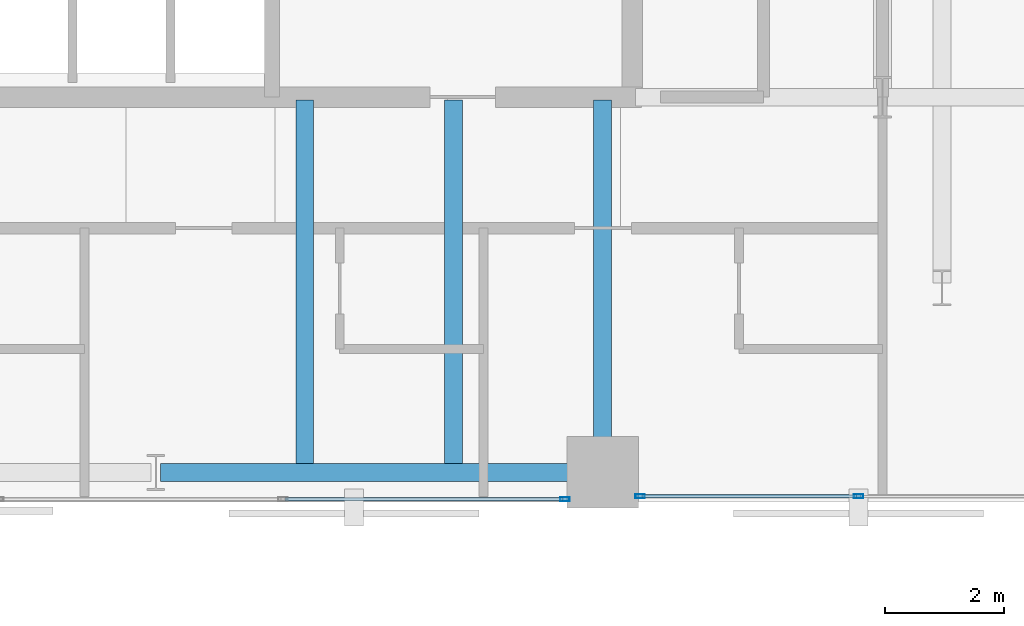
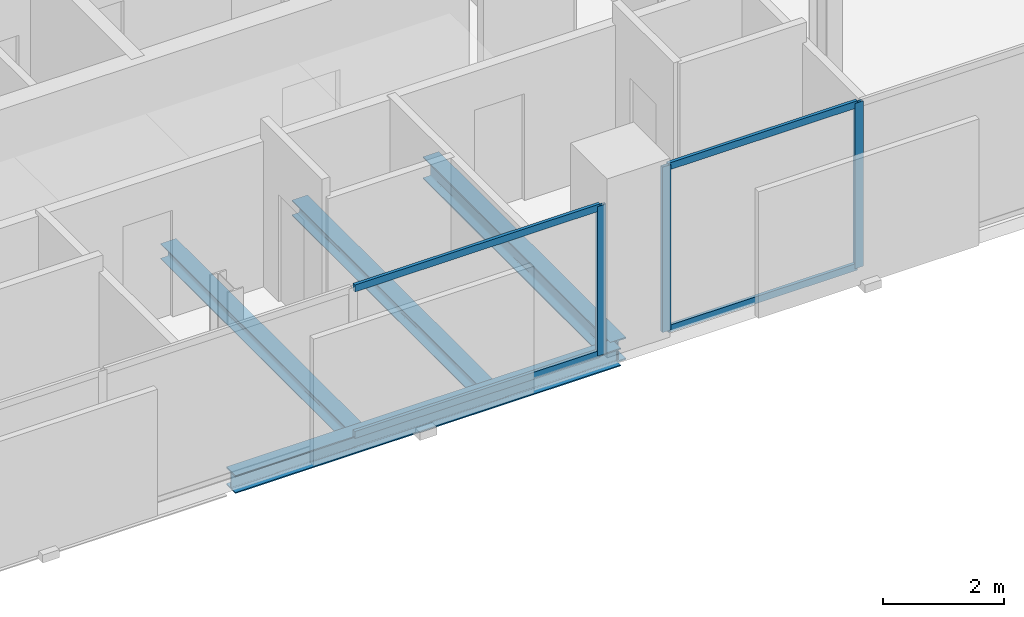
# One storey, part 14 of 32: 7 members, 4 beams, 2 elements without a shape of their own.
"""IFC4 building model written with IfcOpenShell, lengths in metres."""

from ifc_helpers import new_model, si_unit, direction, frame, origin, origin_2d, place, context, subcontext, project, spatial, hollow_rectangle, i_section, extrude, material, layer, layer_set, material_profile, profile_set, type_object, element, aggregate, save


model = new_model("IFC4")

# Units and contexts
model_context = context("Model", 3, precision=1e-05, world=origin(), true_north=direction((0.0, 1.0)))
body_context = subcontext(model_context, "Body", "Model", "MODEL_VIEW")
ifc_project = project(units=[si_unit("LENGTHUNIT", "METRE"), si_unit("AREAUNIT", "SQUARE_METRE"), si_unit("VOLUMEUNIT", "CUBIC_METRE"), si_unit("PLANEANGLEUNIT", "RADIAN"), si_unit("MASSUNIT", "GRAM", prefix="KILO")], contexts=[model_context])

# Site, building, storey
site_placement = place(None, origin())
site = spatial("IfcSite", under=ifc_project, at=site_placement, CompositionType="ELEMENT")
building_placement = place(site_placement, origin())
building = spatial("IfcBuilding", under=site, at=building_placement, Name="Catumbela Crestline Tower", CompositionType="ELEMENT")
storey_placement = place(building_placement, frame((0.0, 0.0, 133.2)))
storey = spatial("IfcBuildingStorey", under=building, at=storey_placement, Name="L34", CompositionType="ELEMENT", Elevation=133.2)

# Beams
ifc_material_1 = material(Name="Structural steel S355J2", Category="steel")
ifc_material_profile_1 = material_profile(ifc_material_1, i_section(OverallWidth=0.3, OverallDepth=0.45, WebThickness=0.014, FlangeThickness=0.026, FilletRadius=0.027, at=origin_2d()), Name="HEB 450")
ifc_profile_set_1 = profile_set([ifc_material_profile_1], Name="Structural steel S355J2")
beam_type_1 = type_object("IfcBeamType", Name="BG-HEB450", PredefinedType="BEAM", material=ifc_profile_set_1)
beam_1_placement = place(storey_placement, frame((39.5, 24.58, -0.485), z_axis=(0.0, 1.0, 0.0), x_axis=(-1.0, 0.0, 0.0)))
element("IfcBeam", 1, at=beam_1_placement, inside=storey, type_object=beam_type_1, Name="L34 Beam BM-L34-SNS31", PredefinedType="BEAM", context=body_context, shape_type="SweptSolid", body=[
    extrude(i_section(OverallWidth=0.3, OverallDepth=0.45, WebThickness=0.014, FlangeThickness=0.026, FilletRadius=0.027, at=origin_2d()), origin(), (0.0, 0.0, 1.0), 6.17),
])
ifc_material_profile_2 = material_profile(ifc_material_1, i_section(OverallWidth=0.3, OverallDepth=0.31, WebThickness=0.009, FlangeThickness=0.0155, FilletRadius=0.027, at=origin_2d()), Name="HEA 320")
ifc_profile_set_2 = profile_set([ifc_material_profile_2], Name="Structural steel S355J2")
beam_type_2 = type_object("IfcBeamType", Name="BJ-HEA320", PredefinedType="JOIST", material=ifc_profile_set_2)
for number, where, z_axis, x_axis, name in (
    (2, (34.5, 24.647, -0.415), (0.0, 1.0, 0.0), (-1.0, 0.0, 0.0), "L34 Joist JS-L34-SP41"),
    (3, (37.0, 24.647, -0.415), (0.0, 1.0, 0.0), (-1.0, 0.0, 0.0), "L34 Joist JS-L34-SP42"),
):
    element("IfcBeam", number, at=place(storey_placement, frame(where, z_axis=z_axis, x_axis=x_axis)), inside=storey, type_object=beam_type_2, Name=name, PredefinedType="JOIST", context=body_context, shape_type="SweptSolid", body=[
        extrude(i_section(OverallWidth=0.3, OverallDepth=0.31, WebThickness=0.009, FlangeThickness=0.0155, FilletRadius=0.027, at=origin_2d()), origin(), (0.0, 0.0, 1.0), 6.103),
    ])

# Curtain wall, member
ifc_material_2 = material(Name="Aluminium alloy AW-6060-T66", Category="aluminium")
ifc_layer = layer(ifc_material_2, 0.18, Name="Aluminium alloy AW-6060-T66")
ifc_layer_set = layer_set([ifc_layer], Name="Aluminium alloy AW-6060-T66")
curtain_wall_type = type_object("IfcCurtainWallType", Name="CWU-Z2", PredefinedType="USERDEFINED", material=ifc_layer_set)
curtain_wall_1_placement = place(storey_placement, origin())
curtain_wall_1 = element("IfcCurtainWall", 4, at=curtain_wall_1_placement, inside=storey, type_object=curtain_wall_type, Name="L34 Unitised Curtain Wall CW-L34-E3S1", ObjectType="UNITISED", PredefinedType="USERDEFINED")
ifc_material_profile_3 = material_profile(ifc_material_2, hollow_rectangle(XDim=0.06, YDim=0.16, WallThickness=0.004, at=origin_2d()), Name="ALU 160x60x4")
ifc_profile_set_3 = profile_set([ifc_material_profile_3], Name="Aluminium alloy AW-6060-T66")
member_type_1 = type_object("IfcMemberType", Name="MUL-160X60", PredefinedType="MULLION", material=ifc_profile_set_3)
member_1_placement = place(storey_placement, frame((38.8675, 24.05, 0.0), z_axis=(0.0, 0.0, 1.0), x_axis=(0.0, 1.0, 0.0)))
member_1 = element("IfcMember", 5, at=member_1_placement, type_object=member_type_1, Name="CWU-Z2 mullion 4", PredefinedType="MULLION", context=body_context, shape_type="SweptSolid", body=[
    extrude(hollow_rectangle(XDim=0.06, YDim=0.16, WallThickness=0.004, at=origin_2d()), origin(), (0.0, 0.0, 1.0), 3.01),
])

# Curtain wall, members
curtain_wall_2_placement = place(storey_placement, origin())
curtain_wall_2 = element("IfcCurtainWall", 6, at=curtain_wall_2_placement, inside=storey, type_object=curtain_wall_type, Name="L34 Unitised Curtain Wall CW-L34-E3S2", ObjectType="UNITISED", PredefinedType="USERDEFINED")
member_2_placement = place(storey_placement, frame((40.1325, 24.1, 0.0), z_axis=(0.0, 0.0, 1.0), x_axis=(0.0, 1.0, 0.0)))
member_2 = element("IfcMember", 7, at=member_2_placement, type_object=member_type_1, Name="CWU-Z2 mullion 1", PredefinedType="MULLION", context=body_context, shape_type="SweptSolid", body=[
    extrude(hollow_rectangle(XDim=0.06, YDim=0.16, WallThickness=0.004, at=origin_2d()), origin(), (0.0, 0.0, 1.0), 3.33),
])
member_3_placement = place(storey_placement, frame((43.8, 24.1, 0.0), z_axis=(0.0, 0.0, 1.0), x_axis=(0.0, 1.0, 0.0)))
member_3 = element("IfcMember", 8, at=member_3_placement, type_object=member_type_1, Name="CWU-Z2 mullion 2", PredefinedType="MULLION", context=body_context, shape_type="SweptSolid", body=[
    extrude(hollow_rectangle(XDim=0.06, YDim=0.16, WallThickness=0.004, at=origin_2d()), origin(), (0.0, 0.0, 1.0), 3.33),
])

# Beam
ifc_material_profile_4 = material_profile(ifc_material_1, i_section(OverallWidth=0.3, OverallDepth=0.36, WebThickness=0.0125, FlangeThickness=0.0225, FilletRadius=0.027, at=origin_2d()), Name="HEB 360")
ifc_profile_set_4 = profile_set([ifc_material_profile_4], Name="Structural steel S355J2")
beam_type_3 = type_object("IfcBeamType", Name="BS-HEB360", PredefinedType="SPANDREL", material=ifc_profile_set_4)
beam_2_placement = place(storey_placement, frame((32.08, 24.5, -0.44), z_axis=(1.0, 0.0, 0.0), x_axis=(0.0, 1.0, 0.0)))
element("IfcBeam", 9, at=beam_2_placement, inside=storey, type_object=beam_type_3, Name="L34 Spandrel SP-L34-S06", PredefinedType="SPANDREL", context=body_context, shape_type="SweptSolid", body=[
    extrude(i_section(OverallWidth=0.3, OverallDepth=0.36, WebThickness=0.0125, FlangeThickness=0.0225, FilletRadius=0.027, at=origin_2d()), origin(), (0.0, 0.0, 1.0), 7.34),
])

# Member
ifc_material_profile_5 = material_profile(ifc_material_2, hollow_rectangle(XDim=0.06, YDim=0.14, WallThickness=0.004, at=origin_2d()), Name="ALU 140x60x4")
ifc_profile_set_5 = profile_set([ifc_material_profile_5], Name="Aluminium alloy AW-6060-T66")
member_type_2 = type_object("IfcMemberType", Name="TRN-140X60", PredefinedType="USERDEFINED", material=ifc_profile_set_5)
member_4_placement = place(storey_placement, frame((34.1658, 24.05, 0.03), z_axis=(1.0, 0.0, 0.0), x_axis=(0.0, 1.0, 0.0)))
member_4 = element("IfcMember", 10, at=member_4_placement, type_object=member_type_2, Name="CWU-Z2 transom 3.1", ObjectType="TRANSOM", PredefinedType="USERDEFINED", context=body_context, shape_type="SweptSolid", body=[
    extrude(hollow_rectangle(XDim=0.06, YDim=0.14, WallThickness=0.004, at=origin_2d()), origin(), (0.0, 0.0, 1.0), 4.6692),
])

member_5_placement = place(storey_placement, frame((34.1658, 24.05, 2.98), z_axis=(1.0, 0.0, 0.0), x_axis=(0.0, 1.0, 0.0)))
member_5 = element("IfcMember", 11, at=member_5_placement, type_object=member_type_2, Name="CWU-Z2 transom 3.2", ObjectType="TRANSOM", PredefinedType="USERDEFINED", context=body_context, shape_type="SweptSolid", body=[
    extrude(hollow_rectangle(XDim=0.06, YDim=0.14, WallThickness=0.004, at=origin_2d()), origin(), (0.0, 0.0, 1.0), 4.6692),
])

aggregate(curtain_wall_1, [member_1, member_4, member_5])

member_6_placement = place(storey_placement, frame((40.165, 24.1, 0.03), z_axis=(1.0, 0.0, 0.0), x_axis=(0.0, 1.0, 0.0)))
member_6 = element("IfcMember", 12, at=member_6_placement, type_object=member_type_2, Name="CWU-Z2 transom 1.1", ObjectType="TRANSOM", PredefinedType="USERDEFINED", context=body_context, shape_type="SweptSolid", body=[
    extrude(hollow_rectangle(XDim=0.06, YDim=0.14, WallThickness=0.004, at=origin_2d()), origin(), (0.0, 0.0, 1.0), 3.6025),
])

member_7_placement = place(storey_placement, frame((40.165, 24.1, 3.3), z_axis=(1.0, 0.0, 0.0), x_axis=(0.0, 1.0, 0.0)))
member_7 = element("IfcMember", 13, at=member_7_placement, type_object=member_type_2, Name="CWU-Z2 transom 1.2", ObjectType="TRANSOM", PredefinedType="USERDEFINED", context=body_context, shape_type="SweptSolid", body=[
    extrude(hollow_rectangle(XDim=0.06, YDim=0.14, WallThickness=0.004, at=origin_2d()), origin(), (0.0, 0.0, 1.0), 3.6025),
])

aggregate(curtain_wall_2, [member_2, member_3, member_6, member_7])

save(model, "model.ifc")
